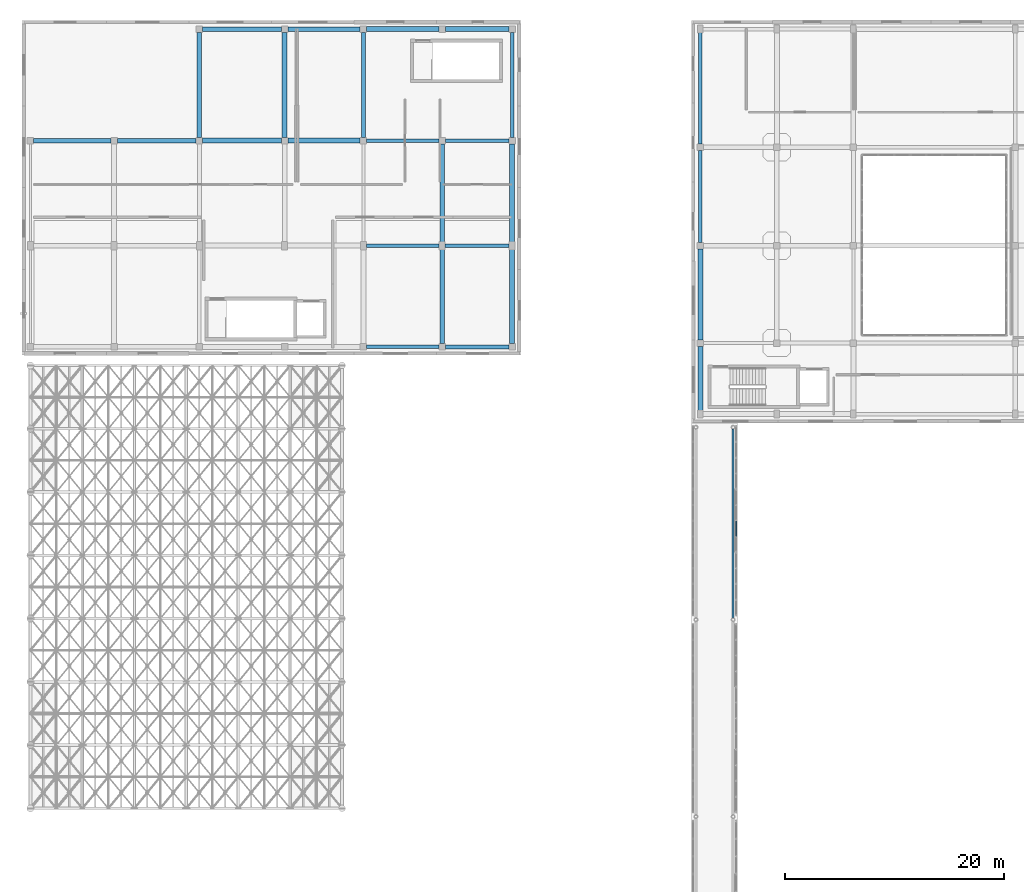
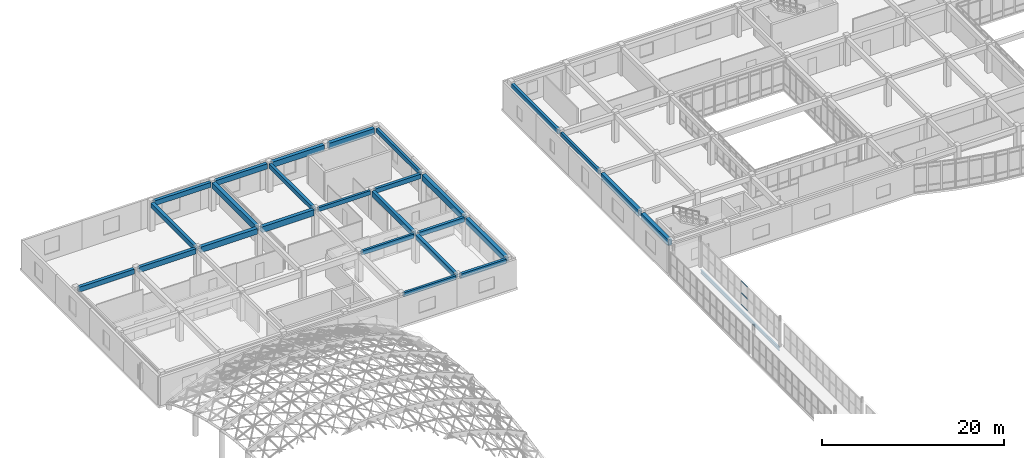
# One storey, part 76 of 146: 27 beams, 3 members, 1 element without a shape of its own.
"""IFC4 building model written with IfcOpenShell, lengths in metres."""

from ifc_helpers import new_model, si_unit, direction, frame, origin, origin_2d, place, context, subcontext, project, spatial, rectangle, hollow_rectangle, i_section, extrude, material, layer, layer_set, material_profile, profile_set, type_object, element, aggregate, save


model = new_model("IFC4")

# Units and contexts
model_context = context("Model", 3, precision=1e-05, world=origin(), true_north=direction((0.0, 1.0)))
body_context = subcontext(model_context, "Body", "Model", "MODEL_VIEW")
ifc_project = project(units=[si_unit("LENGTHUNIT", "METRE"), si_unit("AREAUNIT", "SQUARE_METRE"), si_unit("VOLUMEUNIT", "CUBIC_METRE"), si_unit("PLANEANGLEUNIT", "RADIAN"), si_unit("MASSUNIT", "GRAM", prefix="KILO")], contexts=[model_context])

# Site, building, storey
site_placement = place(None, origin())
site = spatial("IfcSite", under=ifc_project, at=site_placement, CompositionType="ELEMENT")
building_placement = place(site_placement, origin())
building = spatial("IfcBuilding", under=site, at=building_placement, Name="Valcora Specialist Clinic", CompositionType="ELEMENT")
storey_placement = place(building_placement, frame((0.0, 0.0, 9.52001953125)))
storey = spatial("IfcBuildingStorey", under=building, at=storey_placement, Name="L02", CompositionType="ELEMENT", Elevation=9.52001953125)

# Beams
ifc_material_1 = material(Name="Steel ASTM A992 Grade 50", Category="steel")
ifc_material_profile_1 = material_profile(ifc_material_1, i_section(OverallWidth=0.18994140625, OverallDepth=0.45703125, WebThickness=0.009033203125, FlangeThickness=0.014892578125, at=origin_2d()), Name="ST-IR-460X190")
ifc_profile_set_1 = profile_set([ifc_material_profile_1], Name="Steel ASTM A992 Grade 50")
beam_type_1 = type_object("IfcBeamType", Name="TY-BG-IR460", PredefinedType="HOLLOWCORE", material=ifc_profile_set_1)
beam_1_placement = place(storey_placement, frame((65.0, 56.159912109375, -0.482421875), z_axis=(0.0, 1.0, 0.0), x_axis=(-1.0, 0.0, 0.0)))
element("IfcBeam", 1, at=beam_1_placement, inside=storey, type_object=beam_type_1, Name="Bridge girder BM-L02-1629", PredefinedType="HOLLOWCORE", context=body_context, shape_type="SweptSolid", body=[
    extrude(i_section(OverallWidth=0.18994140625, OverallDepth=0.45703125, WebThickness=0.009033203125, FlangeThickness=0.014892578125, at=origin_2d()), origin(), (0.0, 0.0, 1.0), 17.280029296875),
])
ifc_material_2 = material(Name="Concrete C40/50", Category="concrete")
ifc_material_profile_2 = material_profile(ifc_material_2, rectangle(XDim=0.300048828125, YDim=0.550048828125, at=origin_2d()), Name="RC-BM-300X550")
ifc_profile_set_2 = profile_set([ifc_material_profile_2], Name="Concrete C40/50")
beam_type_2 = type_object("IfcBeamType", Name="TY-BM-RC300X550", PredefinedType="BEAM", material=ifc_profile_set_2)
beam_2_placement = place(storey_placement, frame((31.5, 80.949951171875, 3.56787109375), z_axis=(1.0, 0.0, 0.0), x_axis=(0.0, 1.0, 0.0)))
element("IfcBeam", 2, at=beam_2_placement, inside=storey, type_object=beam_type_2, Name="Beam BM-L02-0337", PredefinedType="BEAM", context=body_context, shape_type="SweptSolid", body=[
    extrude(rectangle(XDim=0.300048828125, YDim=0.550048828125, at=origin_2d()), origin(), (0.0, 0.0, 1.0), 6.60009765625),
])
beam_3_placement = place(storey_placement, frame((31.47509765625, 90.199951171875, 3.56787109375), z_axis=(1.0, 0.0, 0.0), x_axis=(0.0, 1.0, 0.0)))
element("IfcBeam", 3, at=beam_3_placement, inside=storey, type_object=beam_type_2, Name="Beam BM-L02-0343", PredefinedType="BEAM", context=body_context, shape_type="SweptSolid", body=[
    extrude(rectangle(XDim=0.300048828125, YDim=0.550048828125, at=origin_2d()), origin(), (0.0, 0.0, 1.0), 6.64990234375),
])
beam_4_placement = place(storey_placement, frame((31.5, 99.800048828125, 3.56787109375), z_axis=(1.0, 0.0, 0.0), x_axis=(0.0, 1.0, 0.0)))
element("IfcBeam", 4, at=beam_4_placement, inside=storey, type_object=beam_type_2, Name="Beam BM-L02-0349", PredefinedType="BEAM", context=body_context, shape_type="SweptSolid", body=[
    extrude(rectangle(XDim=0.300048828125, YDim=0.550048828125, at=origin_2d()), origin(), (0.0, 0.0, 1.0), 6.60009765625),
])
beam_5_placement = place(storey_placement, frame((44.800048828125, 100.10009765625, 3.56787109375), z_axis=(0.0, 1.0, 0.0), x_axis=(-1.0, 0.0, 0.0)))
element("IfcBeam", 5, at=beam_5_placement, inside=storey, type_object=beam_type_2, Name="Beam BM-L02-0371", PredefinedType="BEAM", context=body_context, shape_type="SweptSolid", body=[
    extrude(rectangle(XDim=0.300048828125, YDim=0.550048828125, at=origin_2d()), origin(), (0.0, 0.0, 1.0), 9.599853515625),
])
beam_6_placement = place(storey_placement, frame((62.0, 90.5, 3.544921875), z_axis=(0.0, 1.0, 0.0), x_axis=(-1.0, 0.0, 0.0)))
element("IfcBeam", 6, at=beam_6_placement, inside=storey, type_object=beam_type_2, Name="Beam BM-L02-0737", PredefinedType="BEAM", context=body_context, shape_type="SweptSolid", body=[
    extrude(rectangle(XDim=0.300048828125, YDim=0.550048828125, at=origin_2d()), origin(), (0.0, 0.0, 1.0), 8.39990234375),
])
ifc_material_profile_3 = material_profile(ifc_material_2, rectangle(XDim=0.35009765625, YDim=0.60009765625, at=origin_2d()), Name="RC-BM-350X600")
ifc_profile_set_3 = profile_set([ifc_material_profile_3], Name="Concrete C40/50")
beam_type_3 = type_object("IfcBeamType", Name="TY-BM-RC350X600", PredefinedType="BEAM", material=ifc_profile_set_3)
beam_7_placement = place(storey_placement, frame((38.699951171875, 80.949951171875, 3.54296875), z_axis=(1.0, 0.0, 0.0), x_axis=(0.0, 1.0, 0.0)))
element("IfcBeam", 7, at=beam_7_placement, inside=storey, type_object=beam_type_3, Name="Beam BM-L02-0338", PredefinedType="BEAM", context=body_context, shape_type="SweptSolid", body=[
    extrude(rectangle(XDim=0.35009765625, YDim=0.60009765625, at=origin_2d()), origin(), (0.0, 0.0, 1.0), 5.800048828125),
])
beam_8_placement = place(storey_placement, frame((38.675048828125, 90.199951171875, 3.54296875), z_axis=(1.0, 0.0, 0.0), x_axis=(0.0, 1.0, 0.0)))
element("IfcBeam", 8, at=beam_8_placement, inside=storey, type_object=beam_type_3, Name="Beam BM-L02-0344", PredefinedType="BEAM", context=body_context, shape_type="SweptSolid", body=[
    extrude(rectangle(XDim=0.35009765625, YDim=0.60009765625, at=origin_2d()), origin(), (0.0, 0.0, 1.0), 5.849853515625),
])
beam_9_placement = place(storey_placement, frame((38.699951171875, 99.800048828125, 3.54296875), z_axis=(1.0, 0.0, 0.0), x_axis=(0.0, 1.0, 0.0)))
element("IfcBeam", 9, at=beam_9_placement, inside=storey, type_object=beam_type_3, Name="Beam BM-L02-0350", PredefinedType="BEAM", context=body_context, shape_type="SweptSolid", body=[
    extrude(rectangle(XDim=0.35009765625, YDim=0.60009765625, at=origin_2d()), origin(), (0.0, 0.0, 1.0), 5.800048828125),
])
beam_10_placement = place(storey_placement, frame((31.199951171875, 100.10009765625, 3.54296875), z_axis=(0.0, 1.0, 0.0), x_axis=(-1.0, 0.0, 0.0)))
element("IfcBeam", 10, at=beam_10_placement, inside=storey, type_object=beam_type_3, Name="Beam BM-L02-0366", PredefinedType="BEAM", context=body_context, shape_type="SweptSolid", body=[
    extrude(rectangle(XDim=0.35009765625, YDim=0.60009765625, at=origin_2d()), origin(), (0.0, 0.0, 1.0), 9.599853515625),
])
beam_11_placement = place(storey_placement, frame((62.0, 99.5, 3.52001953125), z_axis=(0.0, 1.0, 0.0), x_axis=(-1.0, 0.0, 0.0)))
element("IfcBeam", 11, at=beam_11_placement, inside=storey, type_object=beam_type_3, Name="Beam BM-L02-0738", PredefinedType="BEAM", context=body_context, shape_type="SweptSolid", body=[
    extrude(rectangle(XDim=0.35009765625, YDim=0.60009765625, at=origin_2d()), origin(), (0.0, 0.0, 1.0), 10.25),
])
ifc_material_profile_4 = material_profile(ifc_material_2, rectangle(XDim=0.39990234375, YDim=0.64990234375, at=origin_2d()), Name="RC-BM-400X650")
ifc_profile_set_4 = profile_set([ifc_material_profile_4], Name="Concrete C40/50")
beam_type_4 = type_object("IfcBeamType", Name="TY-BM-RC400X650", PredefinedType="BEAM", material=ifc_profile_set_4)
beam_12_placement = place(storey_placement, frame((1.050048828125, 99.800048828125, 3.51806640625), z_axis=(1.0, 0.0, 0.0), x_axis=(0.0, 1.0, 0.0)))
element("IfcBeam", 12, at=beam_12_placement, inside=storey, type_object=beam_type_4, Name="Beam BM-L02-0345", PredefinedType="BEAM", context=body_context, shape_type="SweptSolid", body=[
    extrude(rectangle(XDim=0.39990234375, YDim=0.64990234375, at=origin_2d()), origin(), (0.0, 0.0, 1.0), 7.050048828125),
])
beam_13_placement = place(storey_placement, frame((16.5, 110.0, 3.51806640625), z_axis=(1.0, 0.0, 0.0), x_axis=(0.0, 1.0, 0.0)))
element("IfcBeam", 13, at=beam_13_placement, inside=storey, type_object=beam_type_4, Name="Beam BM-L02-0351", PredefinedType="BEAM", context=body_context, shape_type="SweptSolid", body=[
    extrude(rectangle(XDim=0.39990234375, YDim=0.64990234375, at=origin_2d()), origin(), (0.0, 0.0, 1.0), 7.199951171875),
])
beam_14_placement = place(storey_placement, frame((16.199951171875, 100.10009765625, 3.51806640625), z_axis=(0.0, 1.0, 0.0), x_axis=(-1.0, 0.0, 0.0)))
element("IfcBeam", 14, at=beam_14_placement, inside=storey, type_object=beam_type_4, Name="Beam BM-L02-0361", PredefinedType="BEAM", context=body_context, shape_type="SweptSolid", body=[
    extrude(rectangle(XDim=0.39990234375, YDim=0.64990234375, at=origin_2d()), origin(), (0.0, 0.0, 1.0), 9.599853515625),
])
beam_15_placement = place(storey_placement, frame((38.39990234375, 81.25, 3.51806640625), z_axis=(0.0, 1.0, 0.0), x_axis=(-1.0, 0.0, 0.0)))
element("IfcBeam", 15, at=beam_15_placement, inside=storey, type_object=beam_type_4, Name="Beam BM-L02-0367", PredefinedType="BEAM", context=body_context, shape_type="SweptSolid", body=[
    extrude(rectangle(XDim=0.39990234375, YDim=0.64990234375, at=origin_2d()), origin(), (0.0, 0.0, 1.0), 8.675048828125),
])
ifc_material_profile_5 = material_profile(ifc_material_2, rectangle(XDim=0.39990234375, YDim=0.699951171875, at=origin_2d()), Name="RC-BM-400X700")
ifc_profile_set_5 = profile_set([ifc_material_profile_5], Name="Concrete C40/50")
beam_type_5 = type_object("IfcBeamType", Name="TY-BM-RC400X700", PredefinedType="BEAM", material=ifc_profile_set_5)
beam_16_placement = place(storey_placement, frame((8.699951171875, 99.800048828125, 3.492919921875), z_axis=(1.0, 0.0, 0.0), x_axis=(0.0, 1.0, 0.0)))
element("IfcBeam", 16, at=beam_16_placement, inside=storey, type_object=beam_type_5, Name="Beam BM-L02-0346", PredefinedType="BEAM", context=body_context, shape_type="SweptSolid", body=[
    extrude(rectangle(XDim=0.39990234375, YDim=0.699951171875, at=origin_2d()), origin(), (0.0, 0.0, 1.0), 7.199951171875),
])
beam_17_placement = place(storey_placement, frame((24.300048828125, 110.0, 3.492919921875), z_axis=(1.0, 0.0, 0.0), x_axis=(0.0, 1.0, 0.0)))
element("IfcBeam", 17, at=beam_17_placement, inside=storey, type_object=beam_type_5, Name="Beam BM-L02-0352", PredefinedType="BEAM", context=body_context, shape_type="SweptSolid", body=[
    extrude(rectangle(XDim=0.39990234375, YDim=0.699951171875, at=origin_2d()), origin(), (0.0, 0.0, 1.0), 6.599853515625),
])
beam_18_placement = place(storey_placement, frame((38.39990234375, 90.47509765625, 3.492919921875), z_axis=(0.0, 1.0, 0.0), x_axis=(-1.0, 0.0, 0.0)))
element("IfcBeam", 18, at=beam_18_placement, inside=storey, type_object=beam_type_5, Name="Beam BM-L02-0368", PredefinedType="BEAM", context=body_context, shape_type="SweptSolid", body=[
    extrude(rectangle(XDim=0.39990234375, YDim=0.699951171875, at=origin_2d()), origin(), (0.0, 0.0, 1.0), 9.02490234375),
])
ifc_material_profile_6 = material_profile(ifc_material_2, rectangle(XDim=0.449951171875, YDim=0.75, at=origin_2d()), Name="RC-BM-450X750")
ifc_profile_set_6 = profile_set([ifc_material_profile_6], Name="Concrete C40/50")
beam_type_6 = type_object("IfcBeamType", Name="TY-BM-RC450X750", PredefinedType="BEAM", material=ifc_profile_set_6)
beam_19_placement = place(storey_placement, frame((16.5, 99.800048828125, 3.468017578125), z_axis=(1.0, 0.0, 0.0), x_axis=(0.0, 1.0, 0.0)))
element("IfcBeam", 19, at=beam_19_placement, inside=storey, type_object=beam_type_6, Name="Beam BM-L02-0347", PredefinedType="BEAM", context=body_context, shape_type="SweptSolid", body=[
    extrude(rectangle(XDim=0.449951171875, YDim=0.75, at=origin_2d()), origin(), (0.0, 0.0, 1.0), 7.199951171875),
])
beam_20_placement = place(storey_placement, frame((31.5, 110.0, 3.468017578125), z_axis=(1.0, 0.0, 0.0), x_axis=(0.0, 1.0, 0.0)))
element("IfcBeam", 20, at=beam_20_placement, inside=storey, type_object=beam_type_6, Name="Beam BM-L02-0353", PredefinedType="BEAM", context=body_context, shape_type="SweptSolid", body=[
    extrude(rectangle(XDim=0.449951171875, YDim=0.75, at=origin_2d()), origin(), (0.0, 0.0, 1.0), 6.60009765625),
])
beam_21_placement = place(storey_placement, frame((24.0, 100.10009765625, 3.468017578125), z_axis=(0.0, 1.0, 0.0), x_axis=(-1.0, 0.0, 0.0)))
element("IfcBeam", 21, at=beam_21_placement, inside=storey, type_object=beam_type_6, Name="Beam BM-L02-0363", PredefinedType="BEAM", context=body_context, shape_type="SweptSolid", body=[
    extrude(rectangle(XDim=0.449951171875, YDim=0.75, at=origin_2d()), origin(), (0.0, 0.0, 1.0), 9.599853515625),
])
beam_22_placement = place(storey_placement, frame((44.800048828125, 81.25, 3.468017578125), z_axis=(0.0, 1.0, 0.0), x_axis=(-1.0, 0.0, 0.0)))
element("IfcBeam", 22, at=beam_22_placement, inside=storey, type_object=beam_type_6, Name="Beam BM-L02-0369", PredefinedType="BEAM", context=body_context, shape_type="SweptSolid", body=[
    extrude(rectangle(XDim=0.449951171875, YDim=0.75, at=origin_2d()), origin(), (0.0, 0.0, 1.0), 8.675048828125),
])
beam_23_placement = place(storey_placement, frame((62.0, 75.050048828125, 3.445068359375), z_axis=(0.0, 1.0, 0.0), x_axis=(-1.0, 0.0, 0.0)))
element("IfcBeam", 23, at=beam_23_placement, inside=storey, type_object=beam_type_6, Name="Beam BM-L02-0735", PredefinedType="BEAM", context=body_context, shape_type="SweptSolid", body=[
    extrude(rectangle(XDim=0.449951171875, YDim=0.75, at=origin_2d()), origin(), (0.0, 0.0, 1.0), 5.949951171875),
])
ifc_material_profile_7 = material_profile(ifc_material_2, rectangle(XDim=0.449951171875, YDim=0.800048828125, at=origin_2d()), Name="RC-BM-450X800")
ifc_profile_set_7 = profile_set([ifc_material_profile_7], Name="Concrete C40/50")
beam_type_7 = type_object("IfcBeamType", Name="TY-BM-RC450X800", PredefinedType="BEAM", material=ifc_profile_set_7)
beam_24_placement = place(storey_placement, frame((24.300048828125, 99.800048828125, 3.44287109375), z_axis=(1.0, 0.0, 0.0), x_axis=(0.0, 1.0, 0.0)))
element("IfcBeam", 24, at=beam_24_placement, inside=storey, type_object=beam_type_7, Name="Beam BM-L02-0348", PredefinedType="BEAM", context=body_context, shape_type="SweptSolid", body=[
    extrude(rectangle(XDim=0.449951171875, YDim=0.800048828125, at=origin_2d()), origin(), (0.0, 0.0, 1.0), 6.599853515625),
])
beam_25_placement = place(storey_placement, frame((38.699951171875, 110.0, 3.44287109375), z_axis=(1.0, 0.0, 0.0), x_axis=(0.0, 1.0, 0.0)))
element("IfcBeam", 25, at=beam_25_placement, inside=storey, type_object=beam_type_7, Name="Beam BM-L02-0354", PredefinedType="BEAM", context=body_context, shape_type="SweptSolid", body=[
    extrude(rectangle(XDim=0.449951171875, YDim=0.800048828125, at=origin_2d()), origin(), (0.0, 0.0, 1.0), 5.800048828125),
])
beam_26_placement = place(storey_placement, frame((44.800048828125, 90.47509765625, 3.44287109375), z_axis=(0.0, 1.0, 0.0), x_axis=(-1.0, 0.0, 0.0)))
element("IfcBeam", 26, at=beam_26_placement, inside=storey, type_object=beam_type_7, Name="Beam BM-L02-0370", PredefinedType="BEAM", context=body_context, shape_type="SweptSolid", body=[
    extrude(rectangle(XDim=0.449951171875, YDim=0.800048828125, at=origin_2d()), origin(), (0.0, 0.0, 1.0), 9.02490234375),
])
beam_27_placement = place(storey_placement, frame((62.0, 81.60009765625, 3.419921875), z_axis=(0.0, 1.0, 0.0), x_axis=(-1.0, 0.0, 0.0)))
element("IfcBeam", 27, at=beam_27_placement, inside=storey, type_object=beam_type_7, Name="Beam BM-L02-0736", PredefinedType="BEAM", context=body_context, shape_type="SweptSolid", body=[
    extrude(rectangle(XDim=0.449951171875, YDim=0.800048828125, at=origin_2d()), origin(), (0.0, 0.0, 1.0), 8.2998046875),
])

# Curtain wall, members
ifc_material_3 = material(Name="Anodized Bronze Aluminium 6063-T6", Category="aluminium")
ifc_layer = layer(ifc_material_3, 0.175048828125)
ifc_layer_set = layer_set([ifc_layer], Name="Anodized Bronze Aluminium 6063-T6")
curtain_wall_type = type_object("IfcCurtainWallType", Name="TY-CW-BRG14", PredefinedType="NOTDEFINED", material=ifc_layer_set)
curtain_wall_placement = place(storey_placement, origin())
curtain_wall = element("IfcCurtainWall", 28, at=curtain_wall_placement, inside=storey, type_object=curtain_wall_type, Name="Curtain wall CW-L02-265", PredefinedType="NOTDEFINED")
ifc_material_profile_8 = material_profile(ifc_material_3, hollow_rectangle(XDim=0.06494140625, YDim=0.1298828125, WallThickness=0.00390625, at=origin_2d()), Name="AL-TRN-65X130")
ifc_profile_set_8 = profile_set([ifc_material_profile_8], Name="Anodized Bronze Aluminium 6063-T6")
member_type = type_object("IfcMemberType", Name="TY-CWT-65X130", PredefinedType="USERDEFINED", material=ifc_profile_set_8)
member_1_placement = place(storey_placement, frame((65.280029296875, 63.640869140625, 0.032470703125), z_axis=(0.0, 1.0, 0.0), x_axis=(-1.0, 0.0, 0.0)))
member_1 = element("IfcMember", 29, at=member_1_placement, type_object=member_type, Name="CW-BRG-14 transom 2.1", ObjectType="TRANSOM", PredefinedType="USERDEFINED", context=body_context, shape_type="SweptSolid", body=[
    extrude(hollow_rectangle(XDim=0.06494140625, YDim=0.1298828125, WallThickness=0.00390625, at=origin_2d()), origin(), (0.0, 0.0, 1.0), 1.376708984375),
])
member_2_placement = place(storey_placement, frame((65.280029296875, 63.640869140625, 1.619873046875), z_axis=(0.0, 1.0, 0.0), x_axis=(-1.0, 0.0, 0.0)))
member_2 = element("IfcMember", 30, at=member_2_placement, type_object=member_type, Name="CW-BRG-14 transom 2.2", ObjectType="TRANSOM", PredefinedType="USERDEFINED", context=body_context, shape_type="SweptSolid", body=[
    extrude(hollow_rectangle(XDim=0.06494140625, YDim=0.1298828125, WallThickness=0.00390625, at=origin_2d()), origin(), (0.0, 0.0, 1.0), 1.376708984375),
])
member_3_placement = place(storey_placement, frame((65.280029296875, 63.640869140625, 3.20751953125), z_axis=(0.0, 1.0, 0.0), x_axis=(-1.0, 0.0, 0.0)))
member_3 = element("IfcMember", 31, at=member_3_placement, type_object=member_type, Name="CW-BRG-14 transom 2.3", ObjectType="TRANSOM", PredefinedType="USERDEFINED", context=body_context, shape_type="SweptSolid", body=[
    extrude(hollow_rectangle(XDim=0.06494140625, YDim=0.1298828125, WallThickness=0.00390625, at=origin_2d()), origin(), (0.0, 0.0, 1.0), 1.376708984375),
])
aggregate(curtain_wall, [member_1, member_2, member_3])

save(model, "model.ifc")
